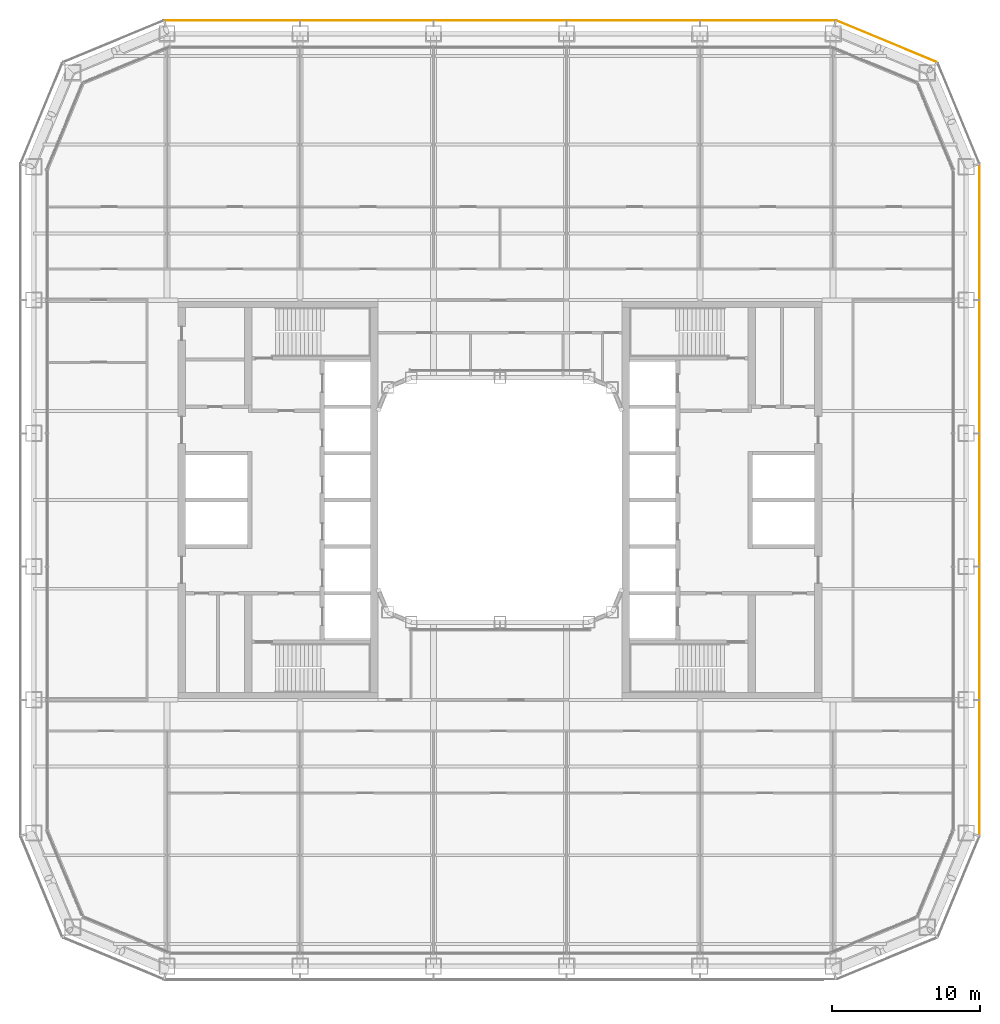
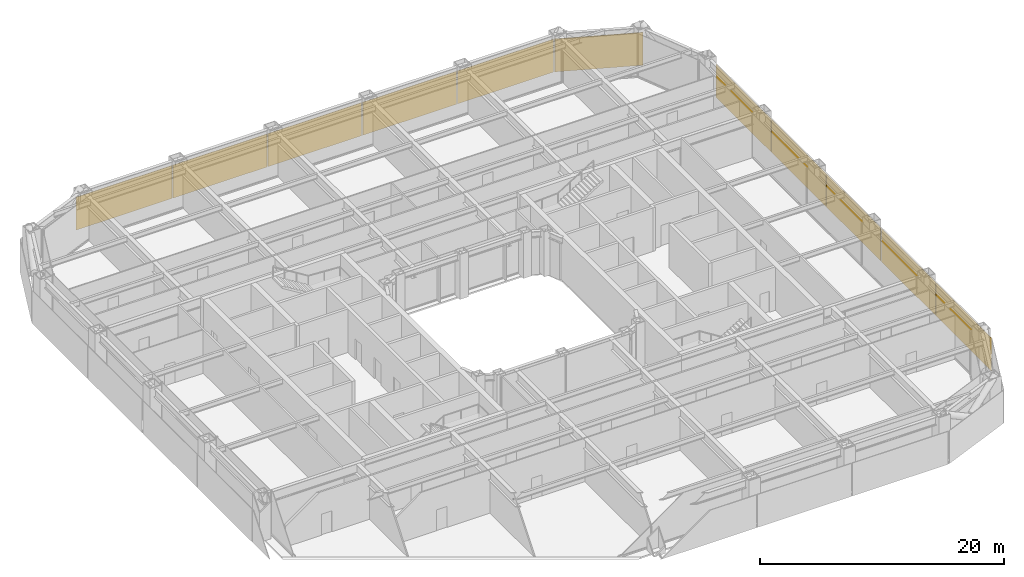
# One storey, part 24 of 24: 11 coverings.
"""IFC4 building model written with IfcOpenShell, lengths in metres."""

from ifc_helpers import new_model, si_unit, direction, frame, origin, origin_2d, place, context, subcontext, project, spatial, rectangle, extrude, material, layer, layer_set, type_object, element, save


model = new_model("IFC4")

# Units and contexts
model_context = context("Model", 3, precision=1e-05, world=origin(), true_north=direction((0.0, 1.0)))
body_context = subcontext(model_context, "Body", "Model", "MODEL_VIEW")
ifc_project = project(units=[si_unit("LENGTHUNIT", "METRE"), si_unit("AREAUNIT", "SQUARE_METRE"), si_unit("VOLUMEUNIT", "CUBIC_METRE"), si_unit("PLANEANGLEUNIT", "RADIAN"), si_unit("MASSUNIT", "GRAM", prefix="KILO")], contexts=[model_context])

# Site, building, storey
site_placement = place(None, origin())
site = spatial("IfcSite", under=ifc_project, at=site_placement, CompositionType="ELEMENT")
building_placement = place(site_placement, origin())
building = spatial("IfcBuilding", under=site, at=building_placement, Name="Siwar Civic Tower", CompositionType="ELEMENT")
storey_placement = place(building_placement, frame((0.0, 0.0, 22.199951171875)))
storey = spatial("IfcBuildingStorey", under=building, at=storey_placement, Name="L04", CompositionType="ELEMENT", Elevation=22.199951171875)

# Coverings
ifc_material = material(Name="Perforated aluminium cassette, pale metal", Category="aluminium")
ifc_layer = layer(ifc_material, 0.0400390625)
ifc_layer_set = layer_set([ifc_layer], Name="Perforated aluminium cassette, pale metal")
covering_type = type_object("IfcCoveringType", Name="ENV-OUTER SKIN OS-1", PredefinedType="CLADDING", material=ifc_layer_set)
covering_1_placement = place(storey_placement, frame((32.39990234375, -18.07958984375, -0.14990234375), z_axis=(0.0, 0.0, 1.0), x_axis=(0.0, 1.0, 0.0)))
element("IfcCovering", 1, at=covering_1_placement, inside=storey, type_object=covering_type, Name="OUTER SKIN OS-1 E 1", PredefinedType="CLADDING", context=body_context, shape_type="SweptSolid", body=[
    extrude(rectangle(XDim=9.05908203125, YDim=0.0400390625, at=origin_2d()), origin(), (0.0, 0.0, 1.0), 3.300048828125),
])
for number, where, z_axis, x_axis, name in (
    (2, (32.39990234375, -9.0, -0.14990234375), (0.0, 0.0, 1.0), (0.0, 1.0, 0.0), "OUTER SKIN OS-1 E 2"),
    (3, (32.39990234375, 0.0, -0.14990234375), (0.0, 0.0, 1.0), (0.0, 1.0, 0.0), "OUTER SKIN OS-1 E 3"),
    (4, (32.39990234375, 9.0, -0.14990234375), (0.0, 0.0, 1.0), (0.0, 1.0, 0.0), "OUTER SKIN OS-1 E 4"),
):
    element("IfcCovering", number, at=place(storey_placement, frame(where, z_axis=z_axis, x_axis=x_axis)), inside=storey, type_object=covering_type, Name=name, PredefinedType="CLADDING", context=body_context, shape_type="SweptSolid", body=[
        extrude(rectangle(XDim=8.89990234375, YDim=0.0400390625, at=origin_2d()), origin(), (0.0, 0.0, 1.0), 3.300048828125),
    ])
covering_2_placement = place(storey_placement, frame((32.39990234375, 18.07958984375, -0.14990234375), z_axis=(0.0, 0.0, 1.0), x_axis=(0.0, 1.0, 0.0)))
element("IfcCovering", 5, at=covering_2_placement, inside=storey, type_object=covering_type, Name="OUTER SKIN OS-1 E 5", PredefinedType="CLADDING", context=body_context, shape_type="SweptSolid", body=[
    extrude(rectangle(XDim=9.05908203125, YDim=0.0400390625, at=origin_2d()), origin(), (0.0, 0.0, 1.0), 3.300048828125),
])
covering_3_placement = place(storey_placement, frame((26.115966796875, 30.976318359375, -0.14990234375), z_axis=(0.0, 0.0, 1.0), x_axis=(-0.923879532511, 0.382683432365, 0.0)))
element("IfcCovering", 6, at=covering_3_placement, inside=storey, type_object=covering_type, Name="OUTER SKIN OS-1 NE2 1", PredefinedType="CLADDING", context=body_context, shape_type="SweptSolid", body=[
    extrude(rectangle(XDim=7.300048828125, YDim=0.0400390625, at=origin_2d()), origin(), (0.0, 0.0, 1.0), 3.300048828125),
])
covering_4_placement = place(storey_placement, frame((18.07958984375, 32.39990234375, -0.14990234375), z_axis=(0.0, 0.0, 1.0), x_axis=(-1.0, 0.0, 0.0)))
element("IfcCovering", 7, at=covering_4_placement, inside=storey, type_object=covering_type, Name="OUTER SKIN OS-1 N 1", PredefinedType="CLADDING", context=body_context, shape_type="SweptSolid", body=[
    extrude(rectangle(XDim=9.05908203125, YDim=0.0400390625, at=origin_2d()), origin(), (0.0, 0.0, 1.0), 3.300048828125),
])
for number, where, z_axis, x_axis, name in (
    (8, (9.0, 32.39990234375, -0.14990234375), (0.0, 0.0, 1.0), (-1.0, 0.0, 0.0), "OUTER SKIN OS-1 N 2"),
    (9, (0.0, 32.39990234375, -0.14990234375), (0.0, 0.0, 1.0), (-1.0, 0.0, 0.0), "OUTER SKIN OS-1 N 3"),
    (10, (-9.0, 32.39990234375, -0.14990234375), (0.0, 0.0, 1.0), (-1.0, 0.0, 0.0), "OUTER SKIN OS-1 N 4"),
):
    element("IfcCovering", number, at=place(storey_placement, frame(where, z_axis=z_axis, x_axis=x_axis)), inside=storey, type_object=covering_type, Name=name, PredefinedType="CLADDING", context=body_context, shape_type="SweptSolid", body=[
        extrude(rectangle(XDim=8.89990234375, YDim=0.0400390625, at=origin_2d()), origin(), (0.0, 0.0, 1.0), 3.300048828125),
    ])
covering_5_placement = place(storey_placement, frame((-18.07958984375, 32.39990234375, -0.14990234375), z_axis=(0.0, 0.0, 1.0), x_axis=(-1.0, 0.0, 0.0)))
element("IfcCovering", 11, at=covering_5_placement, inside=storey, type_object=covering_type, Name="OUTER SKIN OS-1 N 5", PredefinedType="CLADDING", context=body_context, shape_type="SweptSolid", body=[
    extrude(rectangle(XDim=9.05908203125, YDim=0.0400390625, at=origin_2d()), origin(), (0.0, 0.0, 1.0), 3.300048828125),
])

save(model, "model.ifc")
